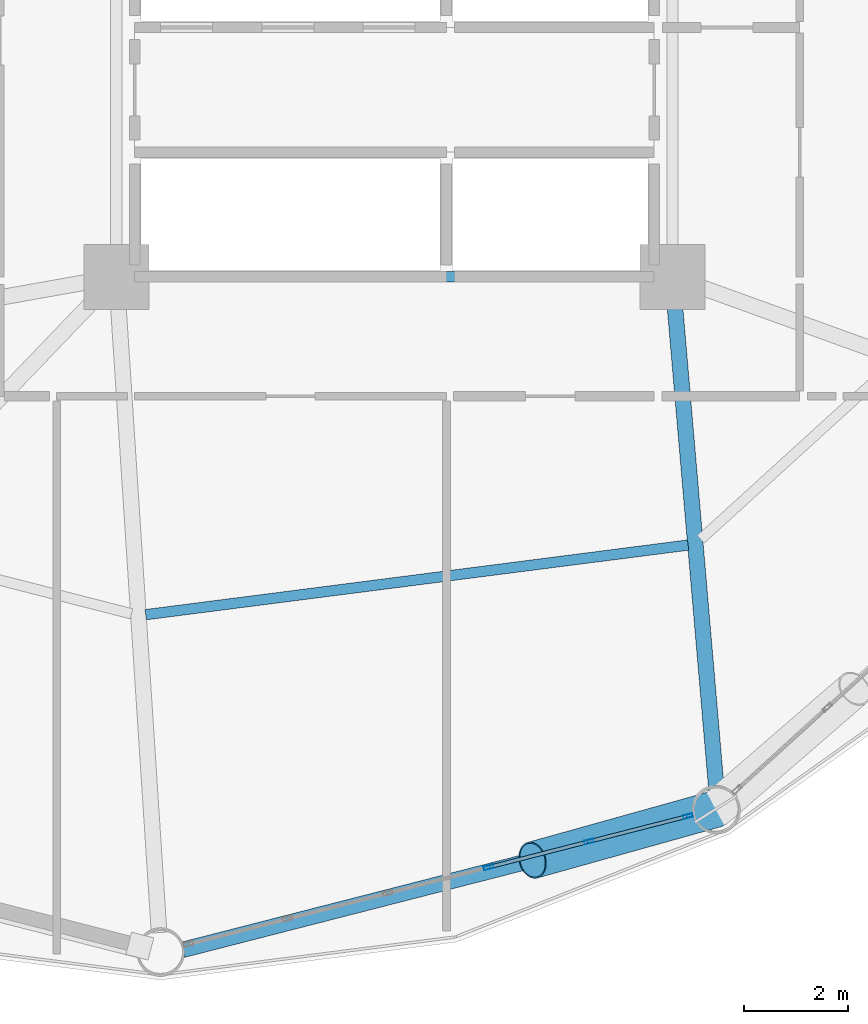
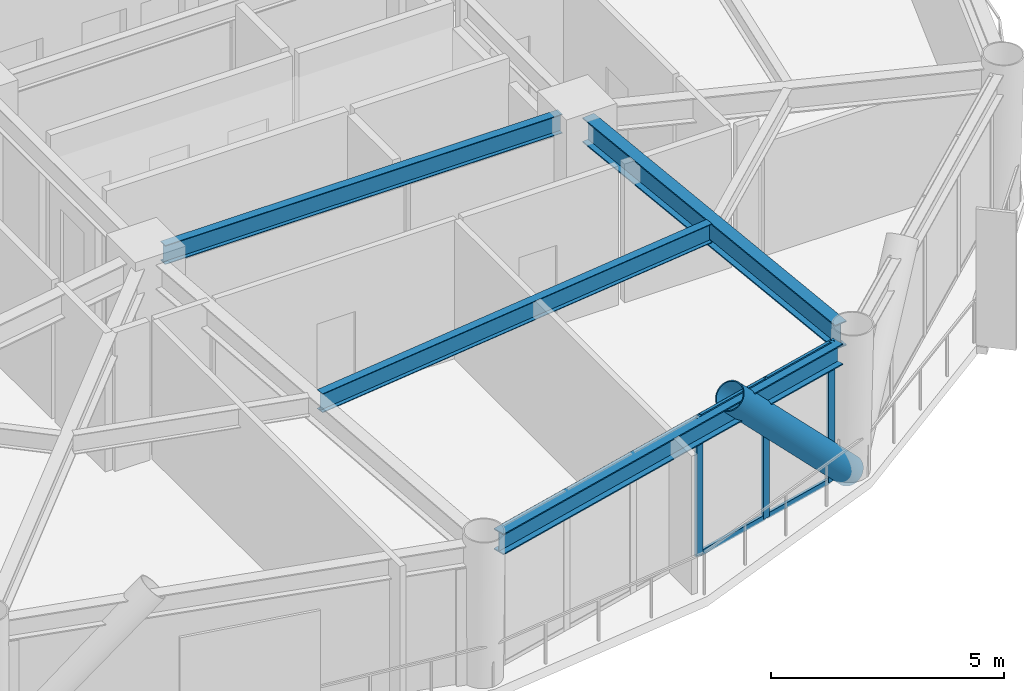
# One storey, part 7 of 25: 8 members, 4 beams, 1 element without a shape of its own.
"""IFC4 building model written with IfcOpenShell, lengths in metres."""

from ifc_helpers import new_model, si_unit, direction, frame, origin, origin_2d, place, context, subcontext, project, spatial, hollow_rectangle, hollow_circle, i_section, extrude, material, layer, layer_set, material_profile, profile_set, type_object, element, aggregate, save


model = new_model("IFC4")

# Units and contexts
model_context = context("Model", 3, precision=1e-05, world=origin(), true_north=direction((0.0, 1.0)))
body_context = subcontext(model_context, "Body", "Model", "MODEL_VIEW")
ifc_project = project(units=[si_unit("LENGTHUNIT", "METRE"), si_unit("AREAUNIT", "SQUARE_METRE"), si_unit("VOLUMEUNIT", "CUBIC_METRE"), si_unit("PLANEANGLEUNIT", "RADIAN"), si_unit("MASSUNIT", "GRAM", prefix="KILO")], contexts=[model_context])

# Site, building, storey
site_placement = place(None, origin())
site = spatial("IfcSite", under=ifc_project, at=site_placement, CompositionType="ELEMENT")
building_placement = place(site_placement, origin())
building = spatial("IfcBuilding", under=site, at=building_placement, Name="Varnakorn Sky Granary", CompositionType="ELEMENT")
storey_placement = place(building_placement, frame((0.0, 0.0, 62.699951171875)))
storey = spatial("IfcBuildingStorey", under=building, at=storey_placement, Name="L15", CompositionType="ELEMENT", Elevation=62.699951171875)

# Beams
ifc_material_1 = material(Name="Steel S355JR", Category="steel")
ifc_material_profile_1 = material_profile(ifc_material_1, i_section(OverallWidth=0.300048828125, OverallDepth=0.64990234375, WebThickness=0.01611328125, FlangeThickness=0.031005859375, at=origin_2d()), Name="HE 650 B")
ifc_profile_set_1 = profile_set([ifc_material_profile_1], Name="Steel S355JR")
beam_type_1 = type_object("IfcBeamType", Name="BM-RAD-Z1", PredefinedType="BEAM", material=ifc_profile_set_1)
beam_1_placement = place(storey_placement, frame((8.385986328125, -7.0185546875, 3.31494140625), z_axis=(0.085722299343, -0.996319069071, 0.0), x_axis=(0.996319069071, 0.085722299343, 0.0)))
element("IfcBeam", 1, at=beam_1_placement, inside=storey, type_object=beam_type_1, Name="Radial Floor Girder RG11 L15", PredefinedType="BEAM", context=body_context, shape_type="SweptSolid", body=[
    extrude(i_section(OverallWidth=0.300048828125, OverallDepth=0.64990234375, WebThickness=0.01611328125, FlangeThickness=0.031005859375, at=origin_2d()), origin(), (0.0, 0.0, 1.0), 9.48681640625),
])
ifc_material_profile_2 = material_profile(ifc_material_1, i_section(OverallWidth=0.199951171875, OverallDepth=0.5, WebThickness=0.01025390625, FlangeThickness=0.01611328125, at=origin_2d()), Name="IPE 500")
ifc_profile_set_2 = profile_set([ifc_material_profile_2], Name="Steel S355JR")
beam_type_2 = type_object("IfcBeamType", Name="BM-SEC-Z1", PredefinedType="BEAM", material=ifc_profile_set_2)
beam_2_placement = place(storey_placement, frame((-1.786865234375, -13.102294921875, 3.39013671875), z_axis=(0.991863201585, 0.127308245376, 0.0), x_axis=(-0.127308245376, 0.991863201585, 0.0)))
element("IfcBeam", 2, at=beam_2_placement, inside=storey, type_object=beam_type_2, Name="Secondary Floor Chord Beam MSB10 L15", PredefinedType="BEAM", context=body_context, shape_type="SweptSolid", body=[
    extrude(i_section(OverallWidth=0.199951171875, OverallDepth=0.5, WebThickness=0.01025390625, FlangeThickness=0.01611328125, at=origin_2d()), origin(), (0.0, 0.0, 1.0), 10.5263671875),
])
beam_3_placement = place(storey_placement, frame((-1.929931640625, -6.60009765625, 3.39013671875), z_axis=(1.0, 0.0, 0.0), x_axis=(0.0, 1.0, 0.0)))
element("IfcBeam", 3, at=beam_3_placement, inside=storey, type_object=beam_type_2, Name="Core Spine Framing Beam 6 L15", PredefinedType="BEAM", context=body_context, shape_type="SweptSolid", body=[
    extrude(i_section(OverallWidth=0.199951171875, OverallDepth=0.5, WebThickness=0.01025390625, FlangeThickness=0.01611328125, at=origin_2d()), origin(), (0.0, 0.0, 1.0), 9.85986328125),
])
ifc_material_profile_3 = material_profile(ifc_material_1, i_section(OverallWidth=0.300048828125, OverallDepth=0.550048828125, WebThickness=0.014892578125, FlangeThickness=0.029052734375, at=origin_2d()), Name="HE 550 B")
ifc_profile_set_3 = profile_set([ifc_material_profile_3], Name="Steel S355JR")
beam_type_3 = type_object("IfcBeamType", Name="BM-SPD-Z1", PredefinedType="SPANDREL", material=ifc_profile_set_3)
beam_4_placement = place(storey_placement, frame((-1.07177734375, -19.55224609375, 3.364990234375), z_axis=(0.968705197596, 0.248214101432, 0.0), x_axis=(-0.248214101432, 0.968705197596, 0.0)))
element("IfcBeam", 4, at=beam_4_placement, inside=storey, type_object=beam_type_3, Name="Perimeter Spandrel Ring Beam RB10 L15", PredefinedType="SPANDREL", context=body_context, shape_type="SweptSolid", body=[
    extrude(i_section(OverallWidth=0.300048828125, OverallDepth=0.550048828125, WebThickness=0.014892578125, FlangeThickness=0.029052734375, at=origin_2d()), origin(), (0.0, 0.0, 1.0), 10.19970703125),
])

# Curtain wall, members
ifc_material_2 = material(Name="Anodised Bronze Aluminium Alloy 6063-T6", Category="aluminium")
ifc_layer = layer(ifc_material_2, 0.18994140625, Name="Anodised Bronze Aluminium Alloy 6063-T6")
ifc_layer_set = layer_set([ifc_layer], Name="Anodised Bronze Aluminium Alloy 6063-T6")
curtain_wall_type = type_object("IfcCurtainWallType", Name="CW-FRM-1", PredefinedType="USERDEFINED", material=ifc_layer_set)
curtain_wall_placement = place(storey_placement, origin())
curtain_wall = element("IfcCurtainWall", 5, at=curtain_wall_placement, inside=storey, type_object=curtain_wall_type, Name="Unitised Curtain Wall CW3 CW-L15-B10", ObjectType="CURTAIN WALL", PredefinedType="USERDEFINED")
ifc_material_profile_4 = material_profile(ifc_material_2, hollow_rectangle(XDim=0.070068359375, YDim=0.18505859375, WallThickness=0.00390625, at=origin_2d()), Name="ALU MULL 70x185")
ifc_profile_set_4 = profile_set([ifc_material_profile_4], Name="Anodised Bronze Aluminium Alloy 6063-T6")
member_type_1 = type_object("IfcMemberType", Name="CW-FRM-1-MULL", PredefinedType="MULLION", material=ifc_profile_set_4)
member_1_placement = place(storey_placement, frame((8.65087890625, -16.9794921875, 0.0), z_axis=(0.0, 0.0, 1.0), x_axis=(0.248436235849, -0.968648252317, 0.0)))
member_1 = element("IfcMember", 6, at=member_1_placement, type_object=member_type_1, Name="CW3 mullion 1", PredefinedType="MULLION", context=body_context, shape_type="SweptSolid", body=[
    extrude(hollow_rectangle(XDim=0.070068359375, YDim=0.18505859375, WallThickness=0.00390625, at=origin_2d()), origin(), (0.0, 0.0, 1.0), 3.64013671875),
])
member_2_placement = place(storey_placement, frame((6.747802734375, -17.467529296875, 0.0), z_axis=(0.0, 0.0, 1.0), x_axis=(0.248436235849, -0.968648252317, 0.0)))
member_2 = element("IfcMember", 7, at=member_2_placement, type_object=member_type_1, Name="CW3 mullion 2", PredefinedType="MULLION", context=body_context, shape_type="SweptSolid", body=[
    extrude(hollow_rectangle(XDim=0.070068359375, YDim=0.18505859375, WallThickness=0.00390625, at=origin_2d()), origin(), (0.0, 0.0, 1.0), 3.64013671875),
])
member_3_placement = place(storey_placement, frame((4.81103515625, -17.96435546875, 0.0), z_axis=(0.0, 0.0, 1.0), x_axis=(0.248436235849, -0.968648252317, 0.0)))
member_3 = element("IfcMember", 8, at=member_3_placement, type_object=member_type_1, Name="CW3 mullion 3", PredefinedType="MULLION", context=body_context, shape_type="SweptSolid", body=[
    extrude(hollow_rectangle(XDim=0.070068359375, YDim=0.18505859375, WallThickness=0.00390625, at=origin_2d()), origin(), (0.0, 0.0, 1.0), 3.64013671875),
])
ifc_material_profile_5 = material_profile(ifc_material_2, hollow_rectangle(XDim=0.070068359375, YDim=0.139892578125, WallThickness=0.00341796875, at=origin_2d()), Name="ALU TRAN 70x140")
ifc_profile_set_5 = profile_set([ifc_material_profile_5], Name="Anodised Bronze Aluminium Alloy 6063-T6")
member_type_2 = type_object("IfcMemberType", Name="CW-FRM-1-TRAN", PredefinedType="USERDEFINED", material=ifc_profile_set_5)
member_4_placement = place(storey_placement, frame((8.616943359375, -16.98828125, 0.03515625), z_axis=(-0.968646374828, -0.248443556029, 0.0), x_axis=(0.248443556029, -0.968646374828, 0.0)))
member_4 = element("IfcMember", 9, at=member_4_placement, type_object=member_type_2, Name="CW3 transom 1.1", ObjectType="TRANSOM", PredefinedType="USERDEFINED", context=body_context, shape_type="SweptSolid", body=[
    extrude(hollow_rectangle(XDim=0.070068359375, YDim=0.139892578125, WallThickness=0.00341796875, at=origin_2d()), origin(), (0.0, 0.0, 1.0), 1.89453125),
])
member_5_placement = place(storey_placement, frame((8.616943359375, -16.98828125, 3.60498046875), z_axis=(-0.968646374828, -0.248443556029, 0.0), x_axis=(0.248443556029, -0.968646374828, 0.0)))
member_5 = element("IfcMember", 10, at=member_5_placement, type_object=member_type_2, Name="CW3 transom 1.2", ObjectType="TRANSOM", PredefinedType="USERDEFINED", context=body_context, shape_type="SweptSolid", body=[
    extrude(hollow_rectangle(XDim=0.070068359375, YDim=0.139892578125, WallThickness=0.00341796875, at=origin_2d()), origin(), (0.0, 0.0, 1.0), 1.89453125),
])
member_6_placement = place(storey_placement, frame((6.714111328125, -17.476318359375, 0.03515625), z_axis=(-0.968666207589, -0.248366218064, 0.0), x_axis=(0.248366218064, -0.968666207589, 0.0)))
member_6 = element("IfcMember", 11, at=member_6_placement, type_object=member_type_2, Name="CW3 transom 2.1", ObjectType="TRANSOM", PredefinedType="USERDEFINED", context=body_context, shape_type="SweptSolid", body=[
    extrude(hollow_rectangle(XDim=0.070068359375, YDim=0.139892578125, WallThickness=0.00341796875, at=origin_2d()), origin(), (0.0, 0.0, 1.0), 1.9296875),
])
member_7_placement = place(storey_placement, frame((6.714111328125, -17.476318359375, 3.60498046875), z_axis=(-0.968666207589, -0.248366218064, 0.0), x_axis=(0.248366218064, -0.968666207589, 0.0)))
member_7 = element("IfcMember", 12, at=member_7_placement, type_object=member_type_2, Name="CW3 transom 2.2", ObjectType="TRANSOM", PredefinedType="USERDEFINED", context=body_context, shape_type="SweptSolid", body=[
    extrude(hollow_rectangle(XDim=0.070068359375, YDim=0.139892578125, WallThickness=0.00341796875, at=origin_2d()), origin(), (0.0, 0.0, 1.0), 1.9296875),
])
aggregate(curtain_wall, [member_1, member_2, member_3, member_4, member_5, member_6, member_7])

# Member
ifc_material_3 = material(Name="Steel S460M", Category="steel")
ifc_material_profile_6 = material_profile(ifc_material_3, hollow_circle(Radius=0.35546875, WallThickness=0.02490234375, at=origin_2d()), Name="CHS 711x25")
ifc_profile_set_6 = profile_set([ifc_material_profile_6], Name="Steel S460M")
member_type_3 = type_object("IfcMemberType", Name="MB-DIAG-T0", PredefinedType="BRACE", material=ifc_profile_set_6)
member_8_placement = place(storey_placement, frame((9.185546875, -16.842529296875, 0.0), z_axis=(-0.669295728084, -0.186952561322, 0.719091070855), x_axis=(0.269029066803, -0.963132058035, 0.0)))
element("IfcMember", 13, at=member_8_placement, inside=storey, type_object=member_type_3, Name="Perimeter CHS Diagrid Brace DG10 L15", PredefinedType="BRACE", context=body_context, shape_type="SweptSolid", body=[
    extrude(hollow_circle(Radius=0.35546875, WallThickness=0.02490234375, at=origin_2d()), origin(), (0.0, 0.0, 1.0), 5.2705078125),
])

save(model, "model.ifc")
